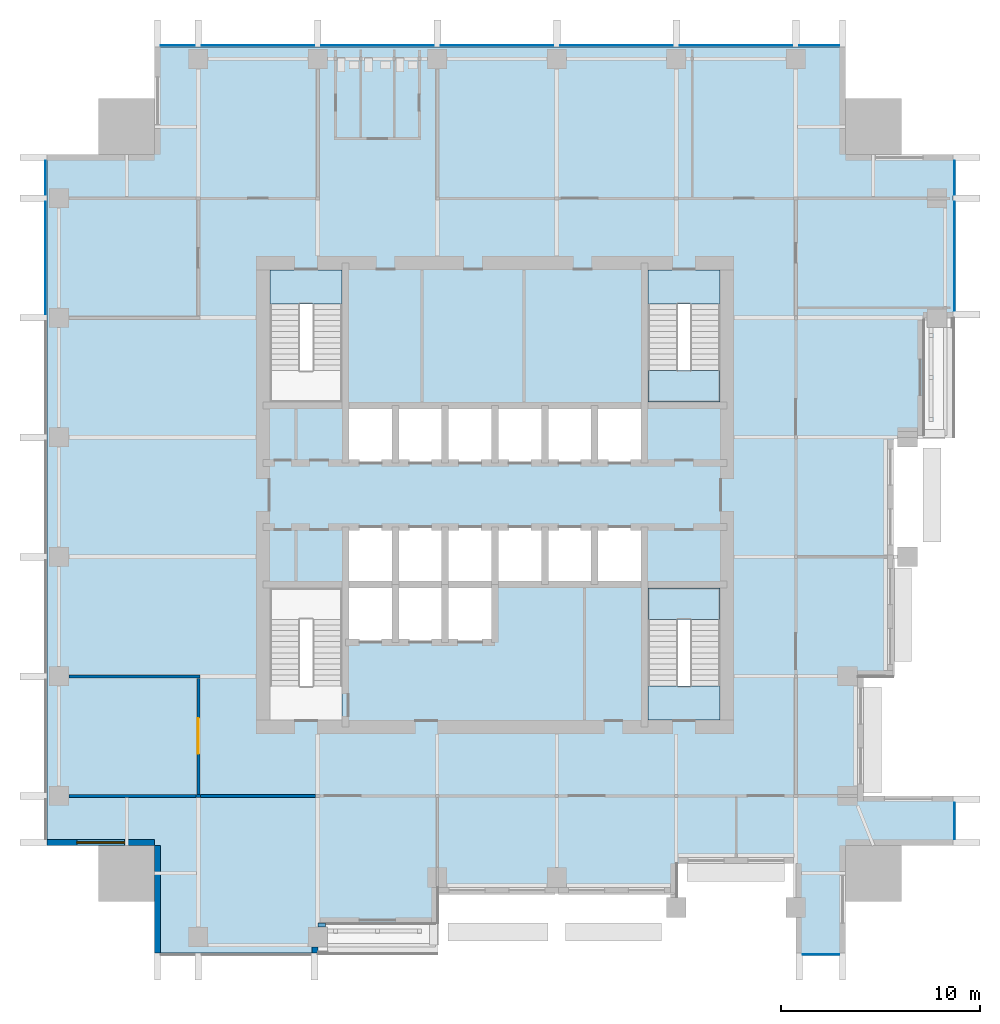
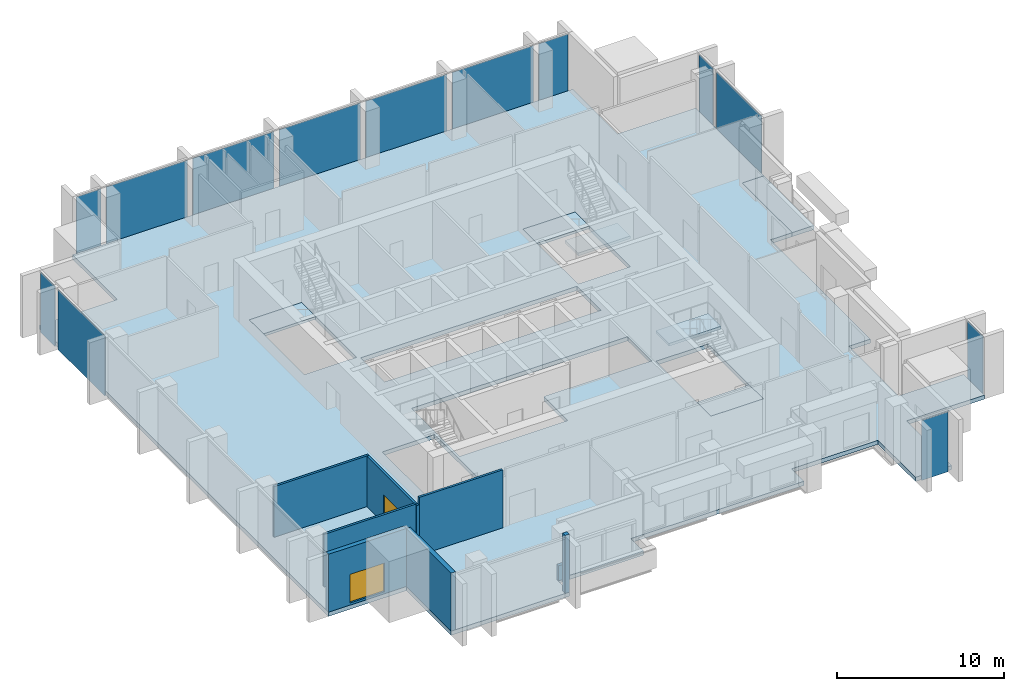
# One storey, part 3 of 11: 13 plates, 9 walls, 7 slabs, 1 door, 1 window, 2 openings, 8 elements without a shape of their own.
"""IFC4 building model written with IfcOpenShell, lengths in metres."""

from ifc_helpers import new_model, si_unit, direction, frame, frame_2d, origin, origin_2d, place, context, subcontext, project, spatial, polyline, rectangle, outline, extrude, material, layer, layer_set, type_object, element, fill, aggregate, save


model = new_model("IFC4")

# Units and contexts
model_context = context("Model", 3, precision=1e-05, world=origin(), true_north=direction((0.0, 1.0)))
body_context = subcontext(model_context, "Body", "Model", "MODEL_VIEW")
ifc_project = project(units=[si_unit("LENGTHUNIT", "METRE"), si_unit("AREAUNIT", "SQUARE_METRE"), si_unit("VOLUMEUNIT", "CUBIC_METRE"), si_unit("PLANEANGLEUNIT", "RADIAN"), si_unit("MASSUNIT", "GRAM", prefix="KILO")], contexts=[model_context])

# Site, building, storey
site_placement = place(None, origin())
site = spatial("IfcSite", under=ifc_project, at=site_placement, CompositionType="ELEMENT")
building_placement = place(site_placement, origin())
building = spatial("IfcBuilding", under=site, at=building_placement, Name="Amberfall Residences", CompositionType="ELEMENT")
storey_placement = place(building_placement, frame((0.0, 0.0, 150.39990234375)))
storey = spatial("IfcBuildingStorey", under=building, at=storey_placement, Name="L40", CompositionType="ELEMENT", Elevation=150.39990234375)

# Curtain wall, plate
ifc_material_1 = material(Name="Bronze anodised aluminium and glass", Category="aluminium")
curtain_wall_type = type_object("IfcCurtainWallType", Name="Curtain wall CW1 tower unit", PredefinedType="USERDEFINED", material=ifc_material_1)
curtain_wall_1_placement = place(storey_placement, origin())
curtain_wall_1 = element("IfcCurtainWall", 1, at=curtain_wall_1_placement, inside=storey, type_object=curtain_wall_type, Name="Curtain wall L40 S S8", ObjectType="UNITISED CURTAIN WALL", PredefinedType="USERDEFINED")
ifc_material_2 = material(Name="Tinted double glazed unit", Category="glass")
ifc_layer_1 = layer(ifc_material_2, 0.035888671875)
ifc_layer_set_1 = layer_set([ifc_layer_1], Name="CW1 panel 36 glazing")
plate_type = type_object("IfcPlateType", Name="CW1 panel 36 glazing", PredefinedType="CURTAIN_PANEL", material=ifc_layer_set_1)
plate_1_placement = place(storey_placement, frame((90.875, 22.425048828125, -0.2998046875), z_axis=(0.0, 0.0, 1.0), x_axis=(1.0, 0.0, 0.0)))
plate_1 = element("IfcPlate", 2, at=plate_1_placement, type_object=plate_type, Name="CW1 panel 1.1", PredefinedType="CURTAIN_PANEL", context=body_context, shape_type="SweptSolid", body=[
    extrude(rectangle(XDim=1.825927734375, YDim=0.035888671875, at=origin_2d()), origin(), (0.0, 0.0, 1.0), 4.39990234375),
])
aggregate(curtain_wall_1, [plate_1])

curtain_wall_2_placement = place(storey_placement, origin())
curtain_wall_2 = element("IfcCurtainWall", 3, at=curtain_wall_2_placement, inside=storey, type_object=curtain_wall_type, Name="Curtain wall L40 E E3", ObjectType="UNITISED CURTAIN WALL", PredefinedType="USERDEFINED")
plate_2_placement = place(storey_placement, frame((97.574951171875, 29.125, -0.2998046875), z_axis=(0.0, 0.0, 1.0), x_axis=(0.0, 1.0, 0.0)))
plate_2 = element("IfcPlate", 4, at=plate_2_placement, type_object=plate_type, Name="CW1 panel 1.1", PredefinedType="CURTAIN_PANEL", context=body_context, shape_type="SweptSolid", body=[
    extrude(rectangle(XDim=1.825927734375, YDim=0.035888671875, at=origin_2d()), origin(), (0.0, 0.0, 1.0), 4.39990234375),
])
aggregate(curtain_wall_2, [plate_2])

# Curtain wall, plates
curtain_wall_3_placement = place(storey_placement, origin())
curtain_wall_3 = element("IfcCurtainWall", 5, at=curtain_wall_3_placement, inside=storey, type_object=curtain_wall_type, Name="Curtain wall L40 E E10", ObjectType="UNITISED CURTAIN WALL", PredefinedType="USERDEFINED")
plate_3_placement = place(storey_placement, frame((97.574951171875, 57.487548828125, -0.2998046875), z_axis=(0.0, 0.0, 1.0), x_axis=(0.0, 1.0, 0.0)))
plate_3 = element("IfcPlate", 6, at=plate_3_placement, type_object=plate_type, Name="CW1 panel 1.1", PredefinedType="CURTAIN_PANEL", context=body_context, shape_type="SweptSolid", body=[
    extrude(rectangle(XDim=5.450927734375, YDim=0.035888671875, at=origin_2d()), origin(), (0.0, 0.0, 1.0), 4.39990234375),
])
plate_4_placement = place(storey_placement, frame((97.574951171875, 61.4375, -0.2998046875), z_axis=(0.0, 0.0, 1.0), x_axis=(0.0, 1.0, 0.0)))
plate_4 = element("IfcPlate", 7, at=plate_4_placement, type_object=plate_type, Name="CW1 panel 2.1", PredefinedType="CURTAIN_PANEL", context=body_context, shape_type="SweptSolid", body=[
    extrude(rectangle(XDim=1.700927734375, YDim=0.035888671875, at=origin_2d()), origin(), (0.0, 0.0, 1.0), 4.39990234375),
])
aggregate(curtain_wall_3, [plate_3, plate_4])

curtain_wall_4_placement = place(storey_placement, origin())
curtain_wall_4 = element("IfcCurtainWall", 8, at=curtain_wall_4_placement, inside=storey, type_object=curtain_wall_type, Name="Curtain wall L40 N N1", ObjectType="UNITISED CURTAIN WALL", PredefinedType="USERDEFINED")
plate_5_placement = place(storey_placement, frame((90.78759765625, 68.074951171875, -0.2998046875), z_axis=(0.0, 0.0, 1.0), x_axis=(-1.0, 0.0, 0.0)))
plate_5 = element("IfcPlate", 9, at=plate_5_placement, type_object=plate_type, Name="CW1 panel 1.1", PredefinedType="CURTAIN_PANEL", context=body_context, shape_type="SweptSolid", body=[
    extrude(rectangle(XDim=2.0009765625, YDim=0.035888671875, at=origin_2d()), origin(), (0.0, 0.0, 1.0), 4.39990234375),
])
plate_6_placement = place(storey_placement, frame((86.60009765625, 68.074951171875, -0.2998046875), z_axis=(0.0, 0.0, 1.0), x_axis=(-1.0, 0.0, 0.0)))
plate_6 = element("IfcPlate", 10, at=plate_6_placement, type_object=plate_type, Name="CW1 panel 2.1", PredefinedType="CURTAIN_PANEL", context=body_context, shape_type="SweptSolid", body=[
    extrude(rectangle(XDim=5.6259765625, YDim=0.035888671875, at=origin_2d()), origin(), (0.0, 0.0, 1.0), 4.39990234375),
])
plate_7_placement = place(storey_placement, frame((80.60009765625, 68.074951171875, -0.2998046875), z_axis=(0.0, 0.0, 1.0), x_axis=(-1.0, 0.0, 0.0)))
plate_7 = element("IfcPlate", 11, at=plate_7_placement, type_object=plate_type, Name="CW1 panel 3.1", PredefinedType="CURTAIN_PANEL", context=body_context, shape_type="SweptSolid", body=[
    extrude(rectangle(XDim=5.6259765625, YDim=0.035888671875, at=origin_2d()), origin(), (0.0, 0.0, 1.0), 4.39990234375),
])
plate_8_placement = place(storey_placement, frame((74.60009765625, 68.074951171875, -0.2998046875), z_axis=(0.0, 0.0, 1.0), x_axis=(-1.0, 0.0, 0.0)))
plate_8 = element("IfcPlate", 12, at=plate_8_placement, type_object=plate_type, Name="CW1 panel 4.1", PredefinedType="CURTAIN_PANEL", context=body_context, shape_type="SweptSolid", body=[
    extrude(rectangle(XDim=5.6259765625, YDim=0.035888671875, at=origin_2d()), origin(), (0.0, 0.0, 1.0), 4.39990234375),
])
plate_9_placement = place(storey_placement, frame((68.60009765625, 68.074951171875, -0.2998046875), z_axis=(0.0, 0.0, 1.0), x_axis=(-1.0, 0.0, 0.0)))
plate_9 = element("IfcPlate", 13, at=plate_9_placement, type_object=plate_type, Name="CW1 panel 5.1", PredefinedType="CURTAIN_PANEL", context=body_context, shape_type="SweptSolid", body=[
    extrude(rectangle(XDim=5.6259765625, YDim=0.035888671875, at=origin_2d()), origin(), (0.0, 0.0, 1.0), 4.39990234375),
])
plate_10_placement = place(storey_placement, frame((62.60009765625, 68.074951171875, -0.2998046875), z_axis=(0.0, 0.0, 1.0), x_axis=(-1.0, 0.0, 0.0)))
plate_10 = element("IfcPlate", 14, at=plate_10_placement, type_object=plate_type, Name="CW1 panel 6.1", PredefinedType="CURTAIN_PANEL", context=body_context, shape_type="SweptSolid", body=[
    extrude(rectangle(XDim=5.6259765625, YDim=0.035888671875, at=origin_2d()), origin(), (0.0, 0.0, 1.0), 4.39990234375),
])
plate_11_placement = place(storey_placement, frame((58.5625, 68.074951171875, -0.2998046875), z_axis=(0.0, 0.0, 1.0), x_axis=(-1.0, 0.0, 0.0)))
plate_11 = element("IfcPlate", 15, at=plate_11_placement, type_object=plate_type, Name="CW1 panel 7.1", PredefinedType="CURTAIN_PANEL", context=body_context, shape_type="SweptSolid", body=[
    extrude(rectangle(XDim=1.700927734375, YDim=0.035888671875, at=origin_2d()), origin(), (0.0, 0.0, 1.0), 4.39990234375),
])
aggregate(curtain_wall_4, [plate_5, plate_6, plate_7, plate_8, plate_9, plate_10, plate_11])

curtain_wall_5_placement = place(storey_placement, origin())
curtain_wall_5 = element("IfcCurtainWall", 16, at=curtain_wall_5_placement, inside=storey, type_object=curtain_wall_type, Name="Curtain wall L40 W W1", ObjectType="UNITISED CURTAIN WALL", PredefinedType="USERDEFINED")
plate_12_placement = place(storey_placement, frame((51.925048828125, 61.4375, -0.2998046875), z_axis=(0.0, 0.0, 1.0), x_axis=(0.0, -1.0, 0.0)))
plate_12 = element("IfcPlate", 17, at=plate_12_placement, type_object=plate_type, Name="CW1 panel 1.1", PredefinedType="CURTAIN_PANEL", context=body_context, shape_type="SweptSolid", body=[
    extrude(rectangle(XDim=1.700927734375, YDim=0.035888671875, at=origin_2d()), origin(), (0.0, 0.0, 1.0), 4.39990234375),
])
plate_13_placement = place(storey_placement, frame((51.925048828125, 57.39990234375, -0.2998046875), z_axis=(0.0, 0.0, 1.0), x_axis=(0.0, -1.0, 0.0)))
plate_13 = element("IfcPlate", 18, at=plate_13_placement, type_object=plate_type, Name="CW1 panel 2.1", PredefinedType="CURTAIN_PANEL", context=body_context, shape_type="SweptSolid", body=[
    extrude(rectangle(XDim=5.6259765625, YDim=0.035888671875, at=origin_2d()), origin(), (0.0, 0.0, 1.0), 4.39990234375),
])
aggregate(curtain_wall_5, [plate_12, plate_13])

# Slab
ifc_material_3 = material(Name="Concrete C60", Category="concrete")
ifc_layer_2 = layer(ifc_material_3, 0.300048828125)
ifc_layer_set_2 = layer_set([ifc_layer_2], Name="Floor slab 300 C60")
slab_type_1 = type_object("IfcSlabType", Name="Floor slab 300 C60", PredefinedType="FLOOR", material=ifc_layer_set_2)
slab_1_placement = place(storey_placement, frame((0.0, 0.0, -0.2998046875)))
element("IfcSlab", 19, at=slab_1_placement, inside=storey, type_object=slab_type_1, Name="Floor slab S12 L40", PredefinedType="FLOOR", context=body_context, shape_type="SweptSolid", body=[
    extrude(outline(polyline([(89.60009765625, 22.5), (89.60009765625, 27.0), (83.60009765625, 27.0), (83.60009765625, 25.5), (77.60009765625, 25.5), (71.60009765625, 25.5), (71.60009765625, 24.0), (65.60009765625, 24.0), (65.60009765625, 22.5), (57.39990234375, 22.5), (57.39990234375, 27.89990234375), (52.0, 27.89990234375), (52.0, 62.60009765625), (57.39990234375, 62.60009765625), (57.39990234375, 68.0), (92.10009765625, 68.0), (92.10009765625, 62.60009765625), (97.5, 62.60009765625), (97.5, 54.39990234375), (96.0, 54.39990234375), (96.0, 48.39990234375), (94.5, 48.39990234375), (94.5, 42.39990234375), (94.5, 36.39990234375), (93.0, 36.39990234375), (93.0, 30.39990234375), (97.5, 30.39990234375), (97.5, 27.89990234375), (92.10009765625, 27.89990234375), (92.10009765625, 22.5), (89.60009765625, 22.5)]), holes=[polyline([(85.800048828125, 34.199951171875), (85.800048828125, 40.824951171875), (82.175048828125, 40.824951171875), (82.175048828125, 34.199951171875), (85.800048828125, 34.199951171875)]), polyline([(82.175048828125, 50.175048828125), (85.800048828125, 50.175048828125), (85.800048828125, 56.800048828125), (82.175048828125, 56.800048828125), (82.175048828125, 50.175048828125)]), polyline([(69.5, 50.0), (67.0, 50.0), (67.0, 47.10009765625), (69.5, 47.10009765625), (72.0, 47.10009765625), (74.5, 47.10009765625), (77.0, 47.10009765625), (79.5, 47.10009765625), (82.0, 47.10009765625), (82.0, 50.0), (79.5, 50.0), (77.0, 50.0), (74.5, 50.0), (72.0, 50.0), (69.5, 50.0)]), polyline([(74.5, 41.0), (77.0, 41.0), (79.5, 41.0), (82.0, 41.0), (82.0, 43.89990234375), (79.5, 43.89990234375), (77.0, 43.89990234375), (74.5, 43.89990234375), (72.0, 43.89990234375), (69.5, 43.89990234375), (67.0, 43.89990234375), (67.0, 41.0), (67.0, 38.10009765625), (69.5, 38.10009765625), (72.0, 38.10009765625), (74.5, 38.10009765625), (74.5, 41.0)]), polyline([(66.824951171875, 34.199951171875), (66.824951171875, 40.824951171875), (63.199951171875, 40.824951171875), (63.199951171875, 34.199951171875), (66.824951171875, 34.199951171875)]), polyline([(66.824951171875, 50.175048828125), (66.824951171875, 56.800048828125), (63.199951171875, 56.800048828125), (63.199951171875, 50.175048828125), (66.824951171875, 50.175048828125)])]), origin(), (0.0, 0.0, 1.0), 0.2998046875),
])

# Stair, slabs
ifc_material_4 = material(Name="Concrete C40", Category="concrete")
stair_type = type_object("IfcStairType", Name="Exit stair 26 risers 173.1 mm", PredefinedType="HALF_TURN_STAIR", material=ifc_material_4)
stair_1_placement = place(storey_placement, origin())
stair_1 = element("IfcStair", 20, at=stair_1_placement, inside=storey, type_object=stair_type, Name="L40 Exit stair 2", PredefinedType="HALF_TURN_STAIR")
ifc_layer_3 = layer(ifc_material_4, 0.199951171875)
ifc_layer_set_3 = layer_set([ifc_layer_3], Name="Stair landing 200")
slab_type_2 = type_object("IfcSlabType", Name="Stair landing 200", PredefinedType="LANDING", material=ifc_layer_set_3)
slab_2_placement = place(storey_placement, frame((0.0, 0.0, 2.050048828125)))
slab_2 = element("IfcSlab", 21, at=slab_2_placement, type_object=slab_type_2, Name="ST2 landing 1", PredefinedType="LANDING", context=body_context, shape_type="SweptSolid", body=[
    extrude(outline(polyline([(85.800048828125, 39.260009765625), (85.800048828125, 40.824951171875), (82.175048828125, 40.824951171875), (82.175048828125, 39.260009765625), (85.800048828125, 39.260009765625)])), origin(), (0.0, 0.0, 1.0), 0.199951171875),
])
slab_3_placement = place(storey_placement, frame((0.0, 0.0, -0.199951171875)))
slab_3 = element("IfcSlab", 22, at=slab_3_placement, type_object=slab_type_2, Name="ST2 landing 2", PredefinedType="LANDING", context=body_context, shape_type="SweptSolid", body=[
    extrude(outline(polyline([(85.800048828125, 34.199951171875), (85.800048828125, 35.89990234375), (82.175048828125, 35.89990234375), (82.175048828125, 34.199951171875), (85.800048828125, 34.199951171875)])), origin(), (0.0, 0.0, 1.0), 0.199951171875),
])
aggregate(stair_1, [slab_2, slab_3])

stair_2_placement = place(storey_placement, origin())
stair_2 = element("IfcStair", 23, at=stair_2_placement, inside=storey, type_object=stair_type, Name="L40 Exit stair 3", PredefinedType="HALF_TURN_STAIR")
slab_4_placement = place(storey_placement, frame((0.0, 0.0, 2.050048828125)))
slab_4 = element("IfcSlab", 24, at=slab_4_placement, type_object=slab_type_2, Name="ST2 landing 1", PredefinedType="LANDING", context=body_context, shape_type="SweptSolid", body=[
    extrude(outline(polyline([(82.175048828125, 51.739990234375), (82.175048828125, 50.175048828125), (85.800048828125, 50.175048828125), (85.800048828125, 51.739990234375), (82.175048828125, 51.739990234375)])), origin(), (0.0, 0.0, 1.0), 0.199951171875),
])
slab_5_placement = place(storey_placement, frame((0.0, 0.0, -0.199951171875)))
slab_5 = element("IfcSlab", 25, at=slab_5_placement, type_object=slab_type_2, Name="ST2 landing 2", PredefinedType="LANDING", context=body_context, shape_type="SweptSolid", body=[
    extrude(outline(polyline([(82.175048828125, 56.800048828125), (82.175048828125, 55.10009765625), (85.800048828125, 55.10009765625), (85.800048828125, 56.800048828125), (82.175048828125, 56.800048828125)])), origin(), (0.0, 0.0, 1.0), 0.199951171875),
])
aggregate(stair_2, [slab_4, slab_5])

# Stair, slab
stair_3_placement = place(storey_placement, origin())
stair_3 = element("IfcStair", 26, at=stair_3_placement, inside=storey, type_object=stair_type, Name="L40 Exit stair 4", PredefinedType="HALF_TURN_STAIR")
slab_6_placement = place(storey_placement, frame((0.0, 0.0, -0.199951171875)))
slab_6 = element("IfcSlab", 27, at=slab_6_placement, type_object=slab_type_2, Name="ST2 landing 2", PredefinedType="LANDING", context=body_context, shape_type="SweptSolid", body=[
    extrude(outline(polyline([(63.199951171875, 56.800048828125), (63.199951171875, 55.10009765625), (66.824951171875, 55.10009765625), (66.824951171875, 56.800048828125), (63.199951171875, 56.800048828125)])), origin(), (0.0, 0.0, 1.0), 0.199951171875),
])
aggregate(stair_3, [slab_6])

# Slab
ifc_layer_4 = layer(ifc_material_3, 0.300048828125)
ifc_layer_set_4 = layer_set([ifc_layer_4], Name="Terrace slab 300 C60")
slab_type_3 = type_object("IfcSlabType", Name="Terrace slab 300 C60", PredefinedType="FLOOR", material=ifc_layer_set_4)
slab_7_placement = place(storey_placement, frame((0.0, 0.0, -0.2998046875)))
element("IfcSlab", 28, at=slab_7_placement, inside=storey, type_object=slab_type_3, Name="Terrace slab S13 L40 E4", PredefinedType="FLOOR", context=body_context, shape_type="SweptSolid", body=[
    extrude(outline(polyline([(97.5, 48.39990234375), (97.5, 54.39990234375), (96.0, 54.39990234375), (96.0, 48.39990234375), (97.5, 48.39990234375)])), origin(), (0.0, 0.0, 1.0), 0.2998046875),
])

# Wall
ifc_material_5 = material(Name="Pale stone cladding on insulated backing", Category="masonry")
ifc_layer_5 = layer(ifc_material_5, 0.300048828125)
ifc_layer_set_5 = layer_set([ifc_layer_5], Name="Bronze clad wall 300")
wall_type_1 = type_object("IfcWallType", Name="Bronze clad wall 300", PredefinedType="SOLIDWALL", material=ifc_layer_set_5)
wall_1_placement = place(storey_placement, frame((65.449951171875, 22.5, 0.0), z_axis=(0.0, 0.0, 1.0), x_axis=(0.0, 1.0, 0.0)))
element("IfcWall", 29, at=wall_1_placement, inside=storey, type_object=wall_type_1, Name="External wall L40 S", PredefinedType="SOLIDWALL", context=body_context, shape_type="SweptSolid", body=[
    extrude(rectangle(XDim=0.300048828125, YDim=0.300048828125, at=frame_2d((0.14990234375, 0.0))), origin(), (0.0, 0.0, 1.0), 4.25),
])

# Wall, opening, window
wall_2_placement = place(storey_placement, frame((52.0, 28.050048828125, 0.0), z_axis=(0.0, 0.0, 1.0), x_axis=(1.0, 0.0, 0.0)))
wall_2 = element("IfcWall", 30, at=wall_2_placement, inside=storey, type_object=wall_type_1, Name="External wall L40 SW", PredefinedType="SOLIDWALL", context=body_context, shape_type="SweptSolid", body=[
    extrude(rectangle(XDim=5.39990234375, YDim=0.300048828125, at=frame_2d((2.699951171875, 0.0))), origin(), (0.0, 0.0, 1.0), 4.25),
])
opening_1_placement = place(wall_2_placement, frame((1.5, 0.0, 0.14990234375)))
opening_1 = element("IfcOpeningElement", 31, at=opening_1_placement, cuts=wall_2, Name="Opening WN5", PredefinedType="OPENING", context=body_context, shape_type="SweptSolid", body=[
    extrude(rectangle(XDim=2.39990234375, YDim=2.10009765625, at=frame_2d((1.199951171875, 1.050048828125))), frame((0.0, 0.159912109375, 0.0), z_axis=(0.0, -1.0, 0.0), x_axis=(1.0, 0.0, 0.0)), (0.0, 0.0, 1.0), 0.320068359375),
])
ifc_material_6 = material(Name="Bronze aluminium framed glazing", Category="aluminium")
window_type = type_object("IfcWindowType", Name="Glazed opening 2400 x 2100 bronze", PartitioningType="DOUBLE_PANEL_VERTICAL", PredefinedType="WINDOW", material=ifc_material_6)
window_placement = place(opening_1_placement, origin())
window = element("IfcWindow", 32, at=window_placement, inside=storey, type_object=window_type, Name="Window L40 SW", OverallHeight=2.10009765625, OverallWidth=2.39990234375, PartitioningType="DOUBLE_PANEL_VERTICAL", PredefinedType="WINDOW", context=body_context, shape_type="SweptSolid", body=[
    extrude(rectangle(XDim=2.39990234375, YDim=2.10009765625, at=frame_2d((1.199951171875, 1.050048828125))), frame((0.0, 0.030029296875, 0.0), z_axis=(0.0, -1.0, 0.0), x_axis=(1.0, 0.0, 0.0)), (0.0, 0.0, 1.0), 0.06005859375),
])
fill(opening_1, window)

# Walls
wall_3_placement = place(storey_placement, frame((57.550048828125, 27.89990234375, 0.0), z_axis=(0.0, 0.0, 1.0), x_axis=(0.0, -1.0, 0.0)))
element("IfcWall", 33, at=wall_3_placement, inside=storey, type_object=wall_type_1, Name="External wall L40 SW", PredefinedType="SOLIDWALL", context=body_context, shape_type="SweptSolid", body=[
    extrude(rectangle(XDim=5.39990234375, YDim=0.300048828125, at=frame_2d((2.699951171875, 0.0))), origin(), (0.0, 0.0, 1.0), 4.25),
])
ifc_material_7 = material(Name="Fire-rated gypsum board on steel studs", Category="steel")
ifc_layer_6 = layer(ifc_material_7, 0.14990234375)
ifc_layer_set_6 = layer_set([ifc_layer_6], Name="Partition 150 fire-rated")
wall_type_2 = type_object("IfcWallType", Name="Partition 150 fire-rated", PredefinedType="PARTITIONING", material=ifc_layer_set_6)
wall_4_placement = place(storey_placement, frame((53.10009765625, 30.39990234375, 0.0), z_axis=(0.0, 0.0, 1.0), x_axis=(1.0, 0.0, 0.0)))
element("IfcWall", 34, at=wall_4_placement, inside=storey, type_object=wall_type_2, Name="Partition 150 fire-rated L40 001", PredefinedType="PARTITIONING", context=body_context, shape_type="SweptSolid", body=[
    extrude(rectangle(XDim=6.3798828125, YDim=0.14990234375, at=frame_2d((3.18994140625, 0.0))), origin(), (0.0, 0.0, 1.0), 3.84716796875),
])
wall_5_placement = place(storey_placement, frame((59.49462890625, 30.39990234375, 0.0), z_axis=(0.0, 0.0, 1.0), x_axis=(1.0, 0.0, 0.0)))
element("IfcWall", 35, at=wall_5_placement, inside=storey, type_object=wall_type_2, Name="Partition 150 fire-rated L40 002", PredefinedType="PARTITIONING", context=body_context, shape_type="SweptSolid", body=[
    extrude(rectangle(XDim=0.210693359375, YDim=0.14990234375, at=frame_2d((0.10546875, 0.0))), origin(), (0.0, 0.0, 1.0), 3.711181640625),
])
wall_6_placement = place(storey_placement, frame((59.705322265625, 30.39990234375, 0.0), z_axis=(0.0, 0.0, 1.0), x_axis=(1.0, 0.0, 0.0)))
element("IfcWall", 36, at=wall_6_placement, inside=storey, type_object=wall_type_2, Name="Partition 150 fire-rated L40 003", PredefinedType="PARTITIONING", context=body_context, shape_type="SweptSolid", body=[
    extrude(rectangle(XDim=5.7900390625, YDim=0.14990234375, at=frame_2d((2.89501953125, 0.0))), origin(), (0.0, 0.0, 1.0), 4.25),
])
wall_7_placement = place(storey_placement, frame((53.10009765625, 36.39990234375, 0.0), z_axis=(0.0, 0.0, 1.0), x_axis=(1.0, 0.0, 0.0)))
element("IfcWall", 37, at=wall_7_placement, inside=storey, type_object=wall_type_2, Name="Partition 150 fire-rated L40 015", PredefinedType="PARTITIONING", context=body_context, shape_type="SweptSolid", body=[
    extrude(rectangle(XDim=6.574951171875, YDim=0.14990234375, at=frame_2d((3.28759765625, 0.0))), origin(), (0.0, 0.0, 1.0), 3.717041015625),
])

# Wall, opening, door
wall_8_placement = place(storey_placement, frame((59.60009765625, 30.47509765625, 0.0), z_axis=(0.0, 0.0, 1.0), x_axis=(0.0, 1.0, 0.0)))
wall_8 = element("IfcWall", 38, at=wall_8_placement, inside=storey, type_object=wall_type_2, Name="Partition 150 fire-rated L40 031", PredefinedType="PARTITIONING", context=body_context, shape_type="SweptSolid", body=[
    extrude(rectangle(XDim=5.8203125, YDim=0.14990234375, at=frame_2d((2.91015625, 0.0))), origin(), (0.0, 0.0, 1.0), 3.711181640625),
])
opening_2_placement = place(wall_8_placement, frame((2.02490234375, 0.0, 0.0)))
opening_2 = element("IfcOpeningElement", 39, at=opening_2_placement, cuts=wall_8, Name="Opening D5", PredefinedType="OPENING", context=body_context, shape_type="SweptSolid", body=[
    extrude(rectangle(XDim=1.800048828125, YDim=2.10009765625, at=frame_2d((0.89990234375, 1.050048828125))), frame((0.0, 0.0849609375, 0.0), z_axis=(0.0, -1.0, 0.0), x_axis=(1.0, 0.0, 0.0)), (0.0, 0.0, 1.0), 0.169921875),
])
ifc_material_8 = material(Name="Timber veneer door leaf", Category="wood")
door_type = type_object("IfcDoorType", Name="Double door 1800x2100", OperationType="DOUBLE_DOOR_SINGLE_SWING", PredefinedType="DOOR", material=ifc_material_8)
door_placement = place(opening_2_placement, origin())
door = element("IfcDoor", 40, at=door_placement, inside=storey, type_object=door_type, Name="Door Sky library", OperationType="DOUBLE_DOOR_SINGLE_SWING", OverallHeight=2.10009765625, OverallWidth=1.800048828125, PredefinedType="DOOR", context=body_context, shape_type="SweptSolid", body=[
    extrude(rectangle(XDim=1.800048828125, YDim=2.10009765625, at=frame_2d((0.89990234375, 1.050048828125))), frame((0.0, 0.02490234375, 0.0), z_axis=(0.0, -1.0, 0.0), x_axis=(1.0, 0.0, 0.0)), (0.0, 0.0, 1.0), 0.050048828125),
])
fill(opening_2, door)

# Wall
ifc_material_9 = material(Name="Pale stone faced Concrete C40", Category="masonry")
ifc_layer_7 = layer(ifc_material_9, 0.39990234375)
ifc_layer_set_7 = layer_set([ifc_layer_7], Name="Terrace parapet wall 400")
wall_type_3 = type_object("IfcWallType", Name="Terrace parapet wall 400", PredefinedType="PARAPET", material=ifc_layer_set_7)
wall_9_placement = place(storey_placement, frame((65.800048828125, 23.800048828125, 0.030029296875), z_axis=(0.0, 0.0, 1.0), x_axis=(0.0, 1.0, 0.0)))
element("IfcWall", 41, at=wall_9_placement, inside=storey, type_object=wall_type_3, Name="Terrace parapet L40 S2 return", PredefinedType="PARAPET", context=body_context, shape_type="SweptSolid", body=[
    extrude(rectangle(XDim=0.199951171875, YDim=0.39990234375, at=frame_2d((0.10009765625, 0.0))), origin(), (0.0, 0.0, 1.0), 1.10009765625),
])

save(model, "model.ifc")
